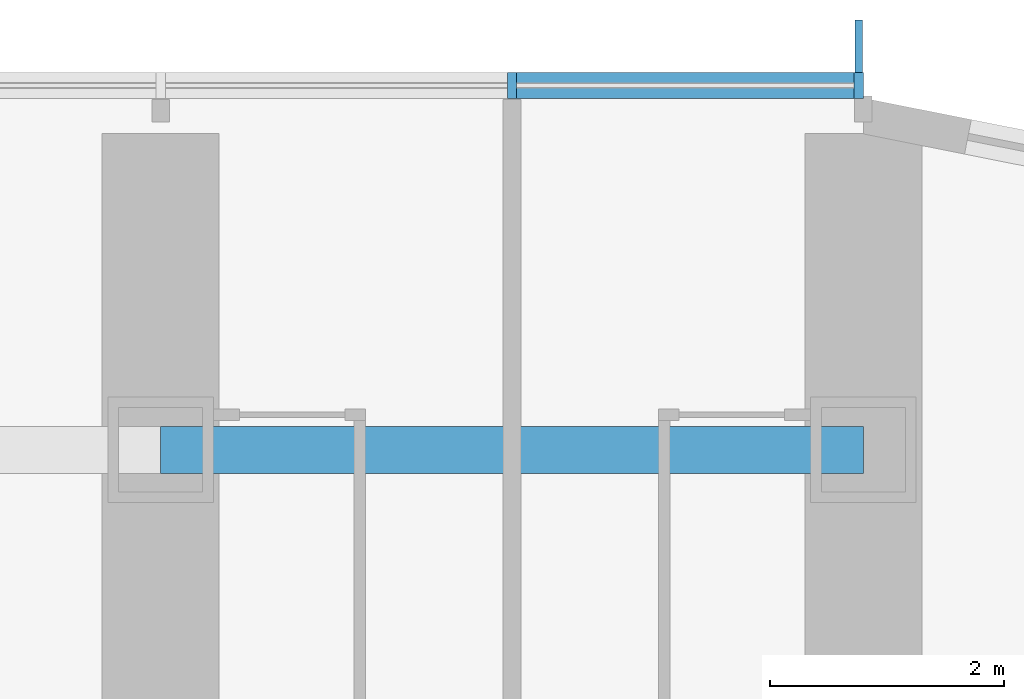
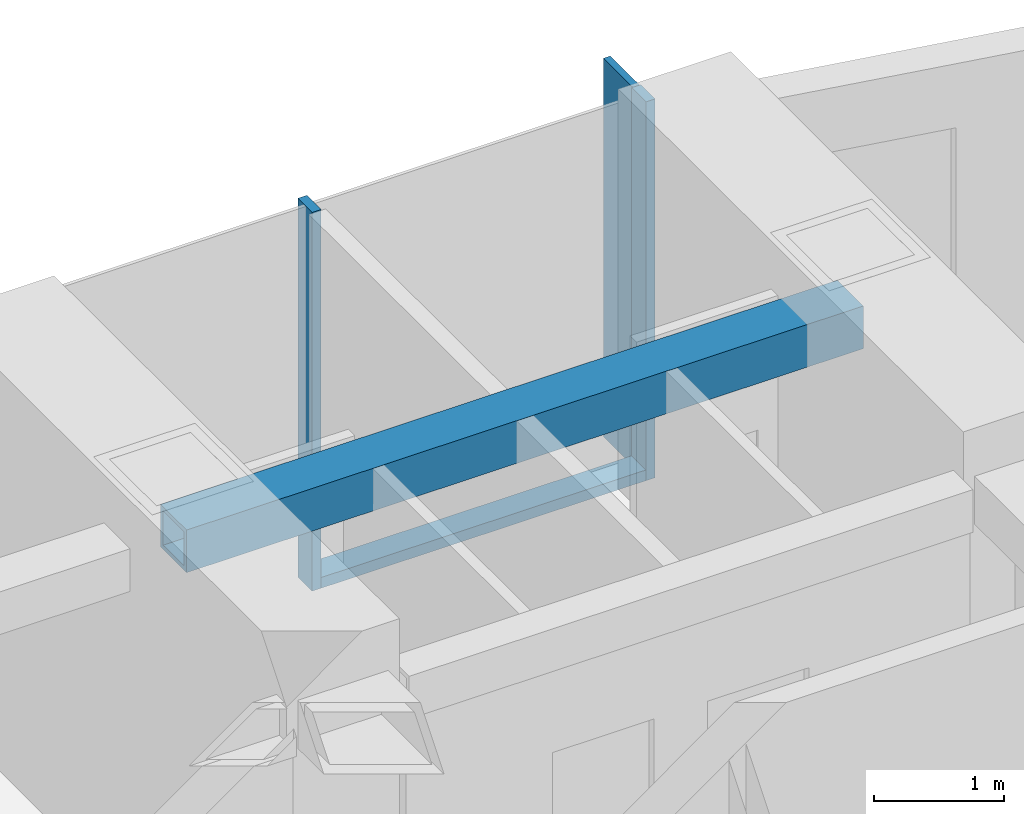
# One storey, part 7 of 23: 4 members, 1 beam, 1 element without a shape of its own.
"""IFC4 building model written with IfcOpenShell, lengths in metres."""

from ifc_helpers import new_model, si_unit, direction, frame, origin, origin_2d, place, context, subcontext, project, spatial, rectangle, hollow_rectangle, extrude, material, material_profile, profile_set, type_object, element, aggregate, save


model = new_model("IFC4")

# Units and contexts
model_context = context("Model", 3, precision=1e-05, world=origin(), true_north=direction((0.0, 1.0)))
body_context = subcontext(model_context, "Body", "Model", "MODEL_VIEW")
ifc_project = project(units=[si_unit("LENGTHUNIT", "METRE"), si_unit("AREAUNIT", "SQUARE_METRE"), si_unit("VOLUMEUNIT", "CUBIC_METRE"), si_unit("PLANEANGLEUNIT", "RADIAN"), si_unit("MASSUNIT", "GRAM", prefix="KILO")], contexts=[model_context])

# Site, building, storey
site_placement = place(None, origin())
site = spatial("IfcSite", under=ifc_project, at=site_placement, CompositionType="ELEMENT")
building_placement = place(site_placement, origin())
building = spatial("IfcBuilding", under=site, at=building_placement, Name="Orbita Commons", CompositionType="ELEMENT")
storey_placement = place(building_placement, frame((0.0, 0.0, 50.199951171875)))
storey = spatial("IfcBuildingStorey", under=building, at=storey_placement, Name="L12", CompositionType="ELEMENT", Elevation=50.199951171875)

# Curtain wall, members
ifc_material_1 = material(Name="Anodised aluminium frame, pale silver", Category="aluminium")
curtain_wall_type = type_object("IfcCurtainWallType", Name="Unitised curtain wall CW-T, vision and spandrel", PredefinedType="NOTDEFINED", material=ifc_material_1)
curtain_wall_placement = place(storey_placement, origin())
curtain_wall = element("IfcCurtainWall", 1, at=curtain_wall_placement, inside=storey, type_object=curtain_wall_type, Name="Curtain wall north L12", PredefinedType="NOTDEFINED")
ifc_material_2 = material(Name="Anodised aluminium, pale silver", Category="aluminium")
ifc_material_profile_1 = material_profile(ifc_material_2, rectangle(XDim=0.080078125, YDim=0.219970703125, at=origin_2d()), Name="AL 80x220")
ifc_profile_set_1 = profile_set([ifc_material_profile_1], Name="Anodised aluminium, pale silver")
member_type_1 = type_object("IfcMemberType", Name="Curtain wall mullion 80x220", PredefinedType="MULLION", material=ifc_profile_set_1)
member_1_placement = place(storey_placement, frame((71.9599609375, 56.7099609375, -0.25), z_axis=(0.0, 0.0, 1.0), x_axis=(-1.0, 0.0, 0.0)))
member_1 = element("IfcMember", 2, at=member_1_placement, type_object=member_type_1, Name="Mullion 1 CW-L12-N", PredefinedType="MULLION", context=body_context, shape_type="SweptSolid", body=[
    extrude(rectangle(XDim=0.080078125, YDim=0.219970703125, at=origin_2d()), origin(), (0.0, 0.0, 1.0), 3.550048828125),
])
member_2_placement = place(storey_placement, frame((69.0, 56.7099609375, -0.25), z_axis=(0.0, 0.0, 1.0), x_axis=(-1.0, 0.0, 0.0)))
member_2 = element("IfcMember", 3, at=member_2_placement, type_object=member_type_1, Name="Mullion 2 CW-L12-N", PredefinedType="MULLION", context=body_context, shape_type="SweptSolid", body=[
    extrude(rectangle(XDim=0.080078125, YDim=0.219970703125, at=origin_2d()), origin(), (0.0, 0.0, 1.0), 3.550048828125),
])
ifc_material_3 = material(Name="Anodised aluminium, pale silver", Category="aluminium")
ifc_material_profile_2 = material_profile(ifc_material_3, rectangle(XDim=0.219970703125, YDim=0.10009765625, at=origin_2d()), Name="AL 220x100")
ifc_profile_set_2 = profile_set([ifc_material_profile_2], Name="Anodised aluminium, pale silver")
member_type_2 = type_object("IfcMemberType", Name="Curtain wall stack transom 220x100", PredefinedType="USERDEFINED", material=ifc_profile_set_2)
member_3_placement = place(storey_placement, frame((71.919921875, 56.7099609375, -0.199951171875), z_axis=(-1.0, 0.0, 0.0), x_axis=(0.0, -1.0, 0.0)))
member_3 = element("IfcMember", 4, at=member_3_placement, type_object=member_type_2, Name="Transom 1.1 CW-L12-N", ObjectType="TRANSOM", PredefinedType="USERDEFINED", context=body_context, shape_type="SweptSolid", body=[
    extrude(rectangle(XDim=0.219970703125, YDim=0.10009765625, at=origin_2d()), origin(), (0.0, 0.0, 1.0), 2.8798828125),
])

# Beam
ifc_material_4 = material(Name="Steel ASTM A572 Gr 50 welded plate", Category="steel")
ifc_material_profile_3 = material_profile(ifc_material_4, hollow_rectangle(XDim=0.39990234375, YDim=0.39990234375, WallThickness=0.0400390625, at=origin_2d()), Name="BOX 400x400x40")
ifc_profile_set_3 = profile_set([ifc_material_profile_3], Name="Steel ASTM A572 Gr 50 welded plate")
beam_type = type_object("IfcBeamType", Name="Steel spandrel BOX 400x400x40", PredefinedType="SPANDREL", material=ifc_profile_set_3)
beam_placement = place(storey_placement, frame((66.0, 53.60009765625, 3.10009765625), z_axis=(1.0, 0.0, 0.0), x_axis=(0.0, 1.0, 0.0)))
element("IfcBeam", 5, at=beam_placement, inside=storey, type_object=beam_type, Name="Spandrel beam E 12-13 L12", PredefinedType="SPANDREL", context=body_context, shape_type="SweptSolid", body=[
    extrude(hollow_rectangle(XDim=0.39990234375, YDim=0.39990234375, WallThickness=0.0400390625, at=origin_2d()), origin(), (0.0, 0.0, 1.0), 6.0),
])

# Member
ifc_material_5 = material(Name="Anodised aluminium, pale silver", Category="aluminium")
ifc_material_profile_4 = material_profile(ifc_material_5, rectangle(XDim=0.06005859375, YDim=0.449951171875, at=origin_2d()), Name="FIN 60x450")
ifc_profile_set_4 = profile_set([ifc_material_profile_4], Name="Anodised aluminium, pale silver")
member_type_3 = type_object("IfcMemberType", Name="Vertical fin 60x450 pale aluminium", PredefinedType="USERDEFINED", material=ifc_profile_set_4)
member_4_placement = place(storey_placement, frame((71.9599609375, 57.044921875, -0.25), z_axis=(0.0, 0.0, 1.0), x_axis=(-1.0, 0.0, 0.0)))
member_4 = element("IfcMember", 6, at=member_4_placement, type_object=member_type_3, Name="Fin 1 CW-L12-N", ObjectType="FIN", PredefinedType="USERDEFINED", context=body_context, shape_type="SweptSolid", body=[
    extrude(rectangle(XDim=0.06005859375, YDim=0.449951171875, at=origin_2d()), origin(), (0.0, 0.0, 1.0), 3.550048828125),
])

aggregate(curtain_wall, [member_1, member_4, member_2, member_3])

save(model, "model.ifc")
